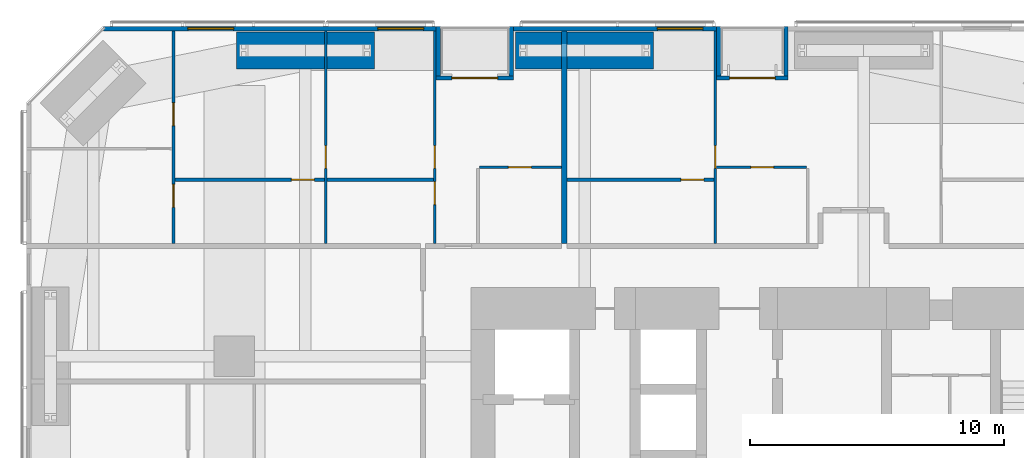
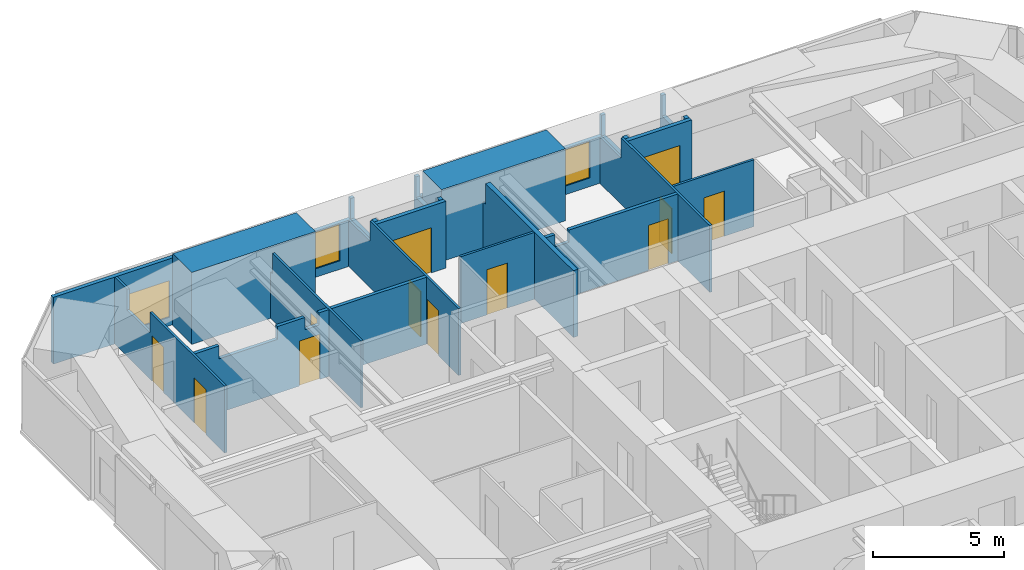
# One storey, part 21 of 23: 20 walls, 12 doors, 3 windows, 15 openings.
"""IFC4 building model written with IfcOpenShell, lengths in metres."""

from ifc_helpers import new_model, si_unit, direction, frame, frame_2d, origin, place, context, subcontext, project, spatial, polyline, rectangle, outline, extrude, material, layer, layer_set, constituent, constituent_set, type_object, element, fill, save


model = new_model("IFC4")

# Units and contexts
model_context = context("Model", 3, precision=1e-05, world=origin(), true_north=direction((0.0, 1.0)))
body_context = subcontext(model_context, "Body", "Model", "MODEL_VIEW")
ifc_project = project(units=[si_unit("LENGTHUNIT", "METRE"), si_unit("AREAUNIT", "SQUARE_METRE"), si_unit("VOLUMEUNIT", "CUBIC_METRE"), si_unit("PLANEANGLEUNIT", "RADIAN"), si_unit("MASSUNIT", "GRAM", prefix="KILO")], contexts=[model_context])

# Site, building, storey
site_placement = place(None, origin())
site = spatial("IfcSite", under=ifc_project, at=site_placement, CompositionType="ELEMENT")
building_placement = place(site_placement, origin())
building = spatial("IfcBuilding", under=site, at=building_placement, Name="Jalousie Tower", CompositionType="ELEMENT")
storey_placement = place(building_placement, frame((0.0, 0.0, 34.39990234375)))
storey = spatial("IfcBuildingStorey", under=building, at=storey_placement, Name="L08", CompositionType="ELEMENT", Elevation=34.39990234375)

# Wall, opening, door
ifc_material_1 = material(Name="Concrete block ASTM C90", Category="concrete")
ifc_constituent_1 = constituent(ifc_material_1, Name="Body")
ifc_material_2 = material(Name="Render")
ifc_constituent_2 = constituent(ifc_material_2, Name="Finish")
ifc_constituent_set_1 = constituent_set(constituents=[ifc_constituent_1, ifc_constituent_2])
wall_type_1 = type_object("IfcWallType", Name="BATHROOM WALL 150", PredefinedType="PLUMBINGWALL", material=ifc_constituent_set_1)
wall_1_placement = place(storey_placement, frame((7.85009765625, 31.949951171875, 0.0), z_axis=(0.0, 0.0, 1.0), x_axis=(1.0, 0.0, 0.0)))
wall_1 = element("IfcWall", 1, at=wall_1_placement, inside=storey, type_object=wall_type_1, Name="Bathroom Wall 150 L08", PredefinedType="PLUMBINGWALL", context=body_context, shape_type="SweptSolid", body=[
    extrude(outline(polyline([(0.0, 0.0), (5.89990234375, 0.0), (5.89990234375, 3.110107421875), (5.46240234375, 3.110107421875), (5.46240234375, 2.541015625), (4.837646484375, 2.541015625), (4.837646484375, 3.110107421875), (3.635009765625, 3.110107421875), (3.635009765625, 2.510009765625), (1.06494140625, 2.510009765625), (1.06494140625, 3.110107421875), (0.0, 3.110107421875), (0.0, 0.0)])), frame((0.0, 0.074951171875, 0.0), z_axis=(0.0, -1.0, 0.0), x_axis=(1.0, 0.0, 0.0)), (0.0, 0.0, 1.0), 0.14990234375),
])
opening_1_placement = place(wall_1_placement, frame((4.60009765625, 0.0, 0.0)))
opening_1 = element("IfcOpeningElement", 2, at=opening_1_placement, cuts=wall_1, Name="Opening D3", PredefinedType="OPENING", context=body_context, shape_type="SweptSolid", body=[
    extrude(rectangle(XDim=0.89990234375, YDim=2.10009765625, at=frame_2d((0.449951171875, 1.050048828125))), frame((0.0, 0.0849609375, 0.0), z_axis=(0.0, -1.0, 0.0), x_axis=(1.0, 0.0, 0.0)), (0.0, 0.0, 1.0), 0.169921875),
])
ifc_material_3 = material(Name="Timber door", Category="wood")
door_type_1 = type_object("IfcDoorType", Name="BATHROOM DOOR 900", OperationType="SINGLE_SWING_LEFT", PredefinedType="DOOR", material=ifc_material_3)
door_1_placement = place(opening_1_placement, frame((0.89990234375, 0.0, 0.0), z_axis=(0.0, 0.0, 1.0), x_axis=(-1.0, 0.0, 0.0)))
door_1 = element("IfcDoor", 3, at=door_1_placement, inside=storey, type_object=door_type_1, Name="Apartment 0804 bedroom 2 bathroom door", OperationType="SINGLE_SWING_LEFT", OverallHeight=2.10009765625, OverallWidth=0.89990234375, PredefinedType="DOOR", context=body_context, shape_type="SweptSolid", body=[
    extrude(rectangle(XDim=0.89990234375, YDim=2.10009765625, at=frame_2d((0.449951171875, 1.050048828125))), frame((0.0, 0.02490234375, 0.0), z_axis=(0.0, -1.0, 0.0), x_axis=(1.0, 0.0, 0.0)), (0.0, 0.0, 1.0), 0.050048828125),
])
fill(opening_1, door_1)

# Wall
wall_2_placement = place(storey_placement, frame((13.85009765625, 31.949951171875, 0.0), z_axis=(0.0, 0.0, 1.0), x_axis=(1.0, 0.0, 0.0)))
element("IfcWall", 4, at=wall_2_placement, inside=storey, type_object=wall_type_1, Name="Bathroom Wall 150 L08", PredefinedType="PLUMBINGWALL", context=body_context, shape_type="SweptSolid", body=[
    extrude(rectangle(XDim=4.199951171875, YDim=0.14990234375, at=frame_2d((2.10009765625, 0.0))), origin(), (0.0, 0.0, 1.0), 3.110107421875),
])

# Wall, opening, door
wall_3_placement = place(storey_placement, frame((23.300048828125, 31.949951171875, 0.0), z_axis=(0.0, 0.0, 1.0), x_axis=(1.0, 0.0, 0.0)))
wall_3 = element("IfcWall", 5, at=wall_3_placement, inside=storey, type_object=wall_type_1, Name="Bathroom Wall 150 L08", PredefinedType="PLUMBINGWALL", context=body_context, shape_type="SweptSolid", body=[
    extrude(outline(polyline([(0.0, 0.0), (5.800048828125, 0.0), (5.800048828125, 3.110107421875), (1.012451171875, 3.110107421875), (1.012451171875, 2.541015625), (0.3876953125, 2.541015625), (0.3876953125, 3.110107421875), (0.0, 3.110107421875), (0.0, 0.0)])), frame((0.0, 0.074951171875, 0.0), z_axis=(0.0, -1.0, 0.0), x_axis=(1.0, 0.0, 0.0)), (0.0, 0.0, 1.0), 0.14990234375),
])
opening_2_placement = place(wall_3_placement, frame((4.5, 0.0, 0.0)))
opening_2 = element("IfcOpeningElement", 6, at=opening_2_placement, cuts=wall_3, Name="Opening D3", PredefinedType="OPENING", context=body_context, shape_type="SweptSolid", body=[
    extrude(rectangle(XDim=0.89990234375, YDim=2.10009765625, at=frame_2d((0.449951171875, 1.050048828125))), frame((0.0, 0.0849609375, 0.0), z_axis=(0.0, -1.0, 0.0), x_axis=(1.0, 0.0, 0.0)), (0.0, 0.0, 1.0), 0.169921875),
])
door_2_placement = place(opening_2_placement, frame((0.89990234375, 0.0, 0.0), z_axis=(0.0, 0.0, 1.0), x_axis=(-1.0, 0.0, 0.0)))
door_2 = element("IfcDoor", 7, at=door_2_placement, inside=storey, type_object=door_type_1, Name="Apartment 0805 bedroom 1 bathroom door", OperationType="SINGLE_SWING_LEFT", OverallHeight=2.10009765625, OverallWidth=0.89990234375, PredefinedType="DOOR", context=body_context, shape_type="SweptSolid", body=[
    extrude(rectangle(XDim=0.89990234375, YDim=2.10009765625, at=frame_2d((0.449951171875, 1.050048828125))), frame((0.0, 0.02490234375, 0.0), z_axis=(0.0, -1.0, 0.0), x_axis=(1.0, 0.0, 0.0)), (0.0, 0.0, 1.0), 0.050048828125),
])
fill(opening_2, door_2)

# Wall, opening, window
ifc_material_4 = material(Name="Concrete f'c 40 MPa", Category="concrete")
ifc_constituent_3 = constituent(ifc_material_4, Name="Body")
ifc_material_5 = material(Name="Render, pastel coral")
ifc_constituent_4 = constituent(ifc_material_5, Name="Finish")
ifc_constituent_set_2 = constituent_set(constituents=[ifc_constituent_3, ifc_constituent_4])
wall_type_2 = type_object("IfcWallType", Name="EXTERNAL WALL 175 CORAL RENDER", PredefinedType="SOLIDWALL", material=ifc_constituent_set_2)
wall_4_placement = place(storey_placement, frame((29.199951171875, 37.91259765625, 0.0), z_axis=(0.0, 0.0, 1.0), x_axis=(-1.0, 0.0, 0.0)))
wall_4 = element("IfcWall", 8, at=wall_4_placement, inside=storey, type_object=wall_type_2, Name="External Wall 175 Coral Render L08", PredefinedType="SOLIDWALL", context=body_context, shape_type="SweptSolid", body=[
    extrude(rectangle(XDim=8.0, YDim=0.175048828125, at=frame_2d((4.0, 0.0))), origin(), (0.0, 0.0, 1.0), 2.150146484375),
])
opening_3_placement = place(wall_4_placement, frame((0.53369140625, 0.0, 0.39990234375)))
opening_3 = element("IfcOpeningElement", 9, at=opening_3_placement, cuts=wall_4, Name="Opening W-BED170", PredefinedType="OPENING", context=body_context, shape_type="SweptSolid", body=[
    extrude(rectangle(XDim=1.800048828125, YDim=1.699951171875, at=frame_2d((0.89990234375, 0.85009765625))), frame((0.0, 0.097412109375, 0.0), z_axis=(0.0, -1.0, 0.0), x_axis=(1.0, 0.0, 0.0)), (0.0, 0.0, 1.0), 0.195068359375),
])
ifc_material_6 = material(Name="Aluminium frame, impact-rated glazing", Category="aluminium")
window_type = type_object("IfcWindowType", Name="WINDOW BED 1800x1700", PartitioningType="SINGLE_PANEL", PredefinedType="WINDOW", material=ifc_material_6)
window_1_placement = place(opening_3_placement, origin())
window_1 = element("IfcWindow", 10, at=window_1_placement, inside=storey, type_object=window_type, Name="Apartment 0805 bedroom 1 window", OverallHeight=1.699951171875, OverallWidth=1.800048828125, PartitioningType="SINGLE_PANEL", PredefinedType="WINDOW", context=body_context, shape_type="SweptSolid", body=[
    extrude(rectangle(XDim=1.800048828125, YDim=1.699951171875, at=frame_2d((0.89990234375, 0.85009765625))), frame((0.0, 0.030029296875, 0.0), z_axis=(0.0, -1.0, 0.0), x_axis=(1.0, 0.0, 0.0)), (0.0, 0.0, 1.0), 0.06005859375),
])
fill(opening_3, window_1)

# Wall, openings, windows
wall_5_placement = place(storey_placement, frame((18.14990234375, 37.91259765625, 0.0), z_axis=(0.0, 0.0, 1.0), x_axis=(-1.0, 0.0, 0.0)))
wall_5 = element("IfcWall", 11, at=wall_5_placement, inside=storey, type_object=wall_type_2, Name="External Wall 175 Coral Render L08", PredefinedType="SOLIDWALL", context=body_context, shape_type="SweptSolid", body=[
    extrude(outline(polyline([(0.0, 0.0), (13.0986328125, 0.0), (13.0986328125, 3.110107421875), (5.35400390625, 3.110107421875), (5.35400390625, 2.150146484375), (5.3056640625, 2.150146484375), (5.3056640625, 3.110107421875), (5.14990234375, 3.110107421875), (5.14990234375, 2.150146484375), (0.0, 2.150146484375), (0.0, 0.0)])), frame((0.0, 0.08740234375, 0.0), z_axis=(0.0, -1.0, 0.0), x_axis=(1.0, 0.0, 0.0)), (0.0, 0.0, 1.0), 0.175048828125),
])
opening_4_placement = place(wall_5_placement, frame((0.492431640625, 0.0, 0.39990234375)))
opening_4 = element("IfcOpeningElement", 12, at=opening_4_placement, cuts=wall_5, Name="Opening W-BED170", PredefinedType="OPENING", context=body_context, shape_type="SweptSolid", body=[
    extrude(rectangle(XDim=1.800048828125, YDim=1.699951171875, at=frame_2d((0.89990234375, 0.85009765625))), frame((0.0, 0.097412109375, 0.0), z_axis=(0.0, -1.0, 0.0), x_axis=(1.0, 0.0, 0.0)), (0.0, 0.0, 1.0), 0.195068359375),
])
opening_5_placement = place(wall_5_placement, frame((7.97998046875, 0.0, 0.39990234375)))
opening_5 = element("IfcOpeningElement", 13, at=opening_5_placement, cuts=wall_5, Name="Opening W-BED170", PredefinedType="OPENING", context=body_context, shape_type="SweptSolid", body=[
    extrude(rectangle(XDim=1.800048828125, YDim=1.699951171875, at=frame_2d((0.89990234375, 0.85009765625))), frame((0.0, 0.097412109375, 0.0), z_axis=(0.0, -1.0, 0.0), x_axis=(1.0, 0.0, 0.0)), (0.0, 0.0, 1.0), 0.195068359375),
])
window_2_placement = place(opening_4_placement, origin())
window_2 = element("IfcWindow", 14, at=window_2_placement, inside=storey, type_object=window_type, Name="Apartment 0804 bedroom 3 window", OverallHeight=1.699951171875, OverallWidth=1.800048828125, PartitioningType="SINGLE_PANEL", PredefinedType="WINDOW", context=body_context, shape_type="SweptSolid", body=[
    extrude(rectangle(XDim=1.800048828125, YDim=1.699951171875, at=frame_2d((0.89990234375, 0.85009765625))), frame((0.0, 0.030029296875, 0.0), z_axis=(0.0, -1.0, 0.0), x_axis=(1.0, 0.0, 0.0)), (0.0, 0.0, 1.0), 0.06005859375),
])
fill(opening_4, window_2)
window_3_placement = place(opening_5_placement, origin())
window_3 = element("IfcWindow", 15, at=window_3_placement, inside=storey, type_object=window_type, Name="Apartment 0804 bedroom 2 window", OverallHeight=1.699951171875, OverallWidth=1.800048828125, PartitioningType="SINGLE_PANEL", PredefinedType="WINDOW", context=body_context, shape_type="SweptSolid", body=[
    extrude(rectangle(XDim=1.800048828125, YDim=1.699951171875, at=frame_2d((0.89990234375, 0.85009765625))), frame((0.0, 0.030029296875, 0.0), z_axis=(0.0, -1.0, 0.0), x_axis=(1.0, 0.0, 0.0)), (0.0, 0.0, 1.0), 0.06005859375),
])
fill(opening_5, window_3)

# Wall, opening, door
wall_6_placement = place(storey_placement, frame((32.02490234375, 35.96240234375, 0.0), z_axis=(0.0, 0.0, 1.0), x_axis=(-1.0, 0.0, 0.0)))
wall_6 = element("IfcWall", 16, at=wall_6_placement, inside=storey, type_object=wall_type_2, Name="External Wall 175 Coral Render L08", PredefinedType="SOLIDWALL", context=body_context, shape_type="SweptSolid", body=[
    extrude(rectangle(XDim=2.824951171875, YDim=0.175048828125, at=frame_2d((1.41259765625, 0.0))), origin(), (0.0, 0.0, 1.0), 3.110107421875),
])
opening_6_placement = place(wall_6_placement, frame((0.512451171875, 0.0, 0.0)))
opening_6 = element("IfcOpeningElement", 17, at=opening_6_placement, cuts=wall_6, Name="Opening D-BAL21", PredefinedType="OPENING", context=body_context, shape_type="SweptSolid", body=[
    extrude(rectangle(XDim=1.800048828125, YDim=2.10009765625, at=frame_2d((0.89990234375, 1.050048828125))), frame((0.0, 0.097412109375, 0.0), z_axis=(0.0, -1.0, 0.0), x_axis=(1.0, 0.0, 0.0)), (0.0, 0.0, 1.0), 0.195068359375),
])
ifc_material_7 = material(Name="Aluminium frame, impact-rated glazing", Category="aluminium")
door_type_2 = type_object("IfcDoorType", Name="BALCONY DOOR 1800x2100", OperationType="SLIDING_TO_LEFT", PredefinedType="DOOR", material=ifc_material_7)
door_3_placement = place(opening_6_placement, origin())
door_3 = element("IfcDoor", 18, at=door_3_placement, inside=storey, type_object=door_type_2, Name="Apartment 0805 living and dining room loggia door", OperationType="SLIDING_TO_LEFT", OverallHeight=2.10009765625, OverallWidth=1.800048828125, PredefinedType="DOOR", context=body_context, shape_type="SweptSolid", body=[
    extrude(rectangle(XDim=1.800048828125, YDim=2.10009765625, at=frame_2d((0.89990234375, 1.050048828125))), frame((0.0, 0.02490234375, 0.0), z_axis=(0.0, -1.0, 0.0), x_axis=(1.0, 0.0, 0.0)), (0.0, 0.0, 1.0), 0.050048828125),
])
fill(opening_6, door_3)

# Walls
for number, where, z_axis, x_axis, name in (
    (19, (31.9375, 38.0, 0.0), (0.0, 0.0, 1.0), (0.0, -1.0, 0.0), "External Wall 175 Coral Render L08"),
    (20, (29.28759765625, 38.0, 0.0), (0.0, 0.0, 1.0), (0.0, -1.0, 0.0), "External Wall 175 Coral Render L08"),
):
    element("IfcWall", number, at=place(storey_placement, frame(where, z_axis=z_axis, x_axis=x_axis)), inside=storey, type_object=wall_type_2, Name=name, PredefinedType="SOLIDWALL", context=body_context, shape_type="SweptSolid", body=[
        extrude(outline(polyline([(0.0, 0.0), (1.949951171875, 0.0), (1.949951171875, 3.110107421875), (1.75, 3.110107421875), (1.75, 2.150146484375), (0.14990234375, 2.150146484375), (0.14990234375, 3.110107421875), (0.0, 3.110107421875), (0.0, 0.0)])), frame((0.0, 0.08740234375, 0.0), z_axis=(0.0, -1.0, 0.0), x_axis=(1.0, 0.0, 0.0)), (0.0, 0.0, 1.0), 0.175048828125),
    ])

# Wall, opening, door
wall_7_placement = place(storey_placement, frame((21.199951171875, 35.96240234375, 0.0), z_axis=(0.0, 0.0, 1.0), x_axis=(-1.0, 0.0, 0.0)))
wall_7 = element("IfcWall", 21, at=wall_7_placement, inside=storey, type_object=wall_type_2, Name="External Wall 175 Coral Render L08", PredefinedType="SOLIDWALL", context=body_context, shape_type="SweptSolid", body=[
    extrude(rectangle(XDim=3.050048828125, YDim=0.175048828125, at=frame_2d((1.52490234375, 0.0))), origin(), (0.0, 0.0, 1.0), 3.110107421875),
])
opening_7_placement = place(wall_7_placement, frame((0.625, 0.0, 0.0)))
opening_7 = element("IfcOpeningElement", 22, at=opening_7_placement, cuts=wall_7, Name="Opening D-BAL21", PredefinedType="OPENING", context=body_context, shape_type="SweptSolid", body=[
    extrude(rectangle(XDim=1.800048828125, YDim=2.10009765625, at=frame_2d((0.89990234375, 1.050048828125))), frame((0.0, 0.097412109375, 0.0), z_axis=(0.0, -1.0, 0.0), x_axis=(1.0, 0.0, 0.0)), (0.0, 0.0, 1.0), 0.195068359375),
])
door_4_placement = place(opening_7_placement, origin())
door_4 = element("IfcDoor", 23, at=door_4_placement, inside=storey, type_object=door_type_2, Name="Apartment 0804 living and dining room loggia door", OperationType="SLIDING_TO_LEFT", OverallHeight=2.10009765625, OverallWidth=1.800048828125, PredefinedType="DOOR", context=body_context, shape_type="SweptSolid", body=[
    extrude(rectangle(XDim=1.800048828125, YDim=2.10009765625, at=frame_2d((0.89990234375, 1.050048828125))), frame((0.0, 0.02490234375, 0.0), z_axis=(0.0, -1.0, 0.0), x_axis=(1.0, 0.0, 0.0)), (0.0, 0.0, 1.0), 0.050048828125),
])
fill(opening_7, door_4)

# Walls
for number, where, z_axis, x_axis, name in (
    (24, (21.112548828125, 38.0, 0.0), (0.0, 0.0, 1.0), (0.0, -1.0, 0.0), "External Wall 175 Coral Render L08"),
    (25, (18.237548828125, 38.0, 0.0), (0.0, 0.0, 1.0), (0.0, -1.0, 0.0), "External Wall 175 Coral Render L08"),
):
    element("IfcWall", number, at=place(storey_placement, frame(where, z_axis=z_axis, x_axis=x_axis)), inside=storey, type_object=wall_type_2, Name=name, PredefinedType="SOLIDWALL", context=body_context, shape_type="SweptSolid", body=[
        extrude(outline(polyline([(0.0, 0.0), (1.949951171875, 0.0), (1.949951171875, 3.110107421875), (1.75, 3.110107421875), (1.75, 2.150146484375), (0.14990234375, 2.150146484375), (0.14990234375, 3.110107421875), (0.0, 3.110107421875), (0.0, 0.0)])), frame((0.0, 0.08740234375, 0.0), z_axis=(0.0, -1.0, 0.0), x_axis=(1.0, 0.0, 0.0)), (0.0, 0.0, 1.0), 0.175048828125),
    ])

# Wall, openings, doors
ifc_material_8 = material(Name="Gypsum board", Category="gypsum")
ifc_constituent_5 = constituent(ifc_material_8, Name="Body")
ifc_material_9 = material(Name="Light-gauge steel studs ASTM A653 SS Grade 33", Category="steel")
ifc_constituent_6 = constituent(ifc_material_9, Name="Framing")
ifc_constituent_set_3 = constituent_set(constituents=[ifc_constituent_5, ifc_constituent_6])
wall_type_3 = type_object("IfcWallType", Name="PARTITION 100", PredefinedType="PARTITIONING", material=ifc_constituent_set_3)
wall_8_placement = place(storey_placement, frame((7.800048828125, 37.824951171875, 0.0), z_axis=(0.0, 0.0, 1.0), x_axis=(0.0, -1.0, 0.0)))
wall_8 = element("IfcWall", 26, at=wall_8_placement, inside=storey, type_object=wall_type_3, Name="Partition 100 L08", PredefinedType="PARTITIONING", context=body_context, shape_type="SweptSolid", body=[
    extrude(outline(polyline([(0.0, 0.0), (8.375, 0.0), (8.375, 3.110107421875), (2.697021484375, 3.110107421875), (2.697021484375, 2.150146484375), (0.942626953125, 2.150146484375), (0.942626953125, 3.110107421875), (0.0, 3.110107421875), (0.0, 0.0)])), frame((0.0, 0.050048828125, 0.0), z_axis=(0.0, -1.0, 0.0), x_axis=(1.0, 0.0, 0.0)), (0.0, 0.0, 1.0), 0.10009765625),
])
opening_8_placement = place(wall_8_placement, frame((2.84228515625, 0.0, 0.0)))
opening_8 = element("IfcOpeningElement", 27, at=opening_8_placement, cuts=wall_8, Name="Opening D2", PredefinedType="OPENING", context=body_context, shape_type="SweptSolid", body=[
    extrude(rectangle(XDim=0.89990234375, YDim=2.10009765625, at=frame_2d((0.449951171875, 1.050048828125))), frame((0.0, 0.06005859375, 0.0), z_axis=(0.0, -1.0, 0.0), x_axis=(1.0, 0.0, 0.0)), (0.0, 0.0, 1.0), 0.1201171875),
])
opening_9_placement = place(wall_8_placement, frame((6.05859375, 0.0, 0.0)))
opening_9 = element("IfcOpeningElement", 28, at=opening_9_placement, cuts=wall_8, Name="Opening D3", PredefinedType="OPENING", context=body_context, shape_type="SweptSolid", body=[
    extrude(rectangle(XDim=0.89990234375, YDim=2.10009765625, at=frame_2d((0.449951171875, 1.050048828125))), frame((0.0, 0.06005859375, 0.0), z_axis=(0.0, -1.0, 0.0), x_axis=(1.0, 0.0, 0.0)), (0.0, 0.0, 1.0), 0.1201171875),
])
door_5_placement = place(opening_9_placement, origin())
door_5 = element("IfcDoor", 29, at=door_5_placement, inside=storey, type_object=door_type_1, Name="Apartment 0804 bedroom 1 bathroom door", OperationType="SINGLE_SWING_LEFT", OverallHeight=2.10009765625, OverallWidth=0.89990234375, PredefinedType="DOOR", context=body_context, shape_type="SweptSolid", body=[
    extrude(rectangle(XDim=0.89990234375, YDim=2.10009765625, at=frame_2d((0.449951171875, 1.050048828125))), frame((0.0, 0.02490234375, 0.0), z_axis=(0.0, -1.0, 0.0), x_axis=(1.0, 0.0, 0.0)), (0.0, 0.0, 1.0), 0.050048828125),
])
fill(opening_9, door_5)
ifc_material_10 = material(Name="Timber door", Category="wood")
door_type_3 = type_object("IfcDoorType", Name="BEDROOM DOOR 900", OperationType="SINGLE_SWING_LEFT", PredefinedType="DOOR", material=ifc_material_10)
door_6_placement = place(opening_8_placement, origin())
door_6 = element("IfcDoor", 30, at=door_6_placement, inside=storey, type_object=door_type_3, Name="Apartment 0804 bedroom 1 door", OperationType="SINGLE_SWING_RIGHT", OverallHeight=2.10009765625, OverallWidth=0.89990234375, PredefinedType="DOOR", context=body_context, shape_type="SweptSolid", body=[
    extrude(rectangle(XDim=0.89990234375, YDim=2.10009765625, at=frame_2d((0.449951171875, 1.050048828125))), frame((0.0, 0.02490234375, 0.0), z_axis=(0.0, -1.0, 0.0), x_axis=(1.0, 0.0, 0.0)), (0.0, 0.0, 1.0), 0.050048828125),
])
fill(opening_8, door_6)

# Wall, opening, door
wall_9_placement = place(storey_placement, frame((13.800048828125, 37.824951171875, 0.0), z_axis=(0.0, 0.0, 1.0), x_axis=(0.0, -1.0, 0.0)))
wall_9 = element("IfcWall", 31, at=wall_9_placement, inside=storey, type_object=wall_type_3, Name="Partition 100 L08", PredefinedType="PARTITIONING", context=body_context, shape_type="SweptSolid", body=[
    extrude(outline(polyline([(1.635009765625, 2.150146484375), (0.0, 2.150146484375), (0.0, 0.0), (8.375, 0.0), (8.375, 3.110107421875), (1.635009765625, 3.110107421875), (1.635009765625, 2.150146484375)]), holes=[polyline([(1.021240234375, 0.1259765625), (0.52880859375, 0.1259765625), (0.52880859375, 0.9189453125), (1.021240234375, 0.9189453125), (1.021240234375, 0.1259765625)]), polyline([(1.021240234375, 1.231201171875), (0.52880859375, 1.231201171875), (0.52880859375, 2.024169921875), (1.021240234375, 2.024169921875), (1.021240234375, 1.231201171875)])]), frame((0.0, 0.050048828125, 0.0), z_axis=(0.0, -1.0, 0.0), x_axis=(1.0, 0.0, 0.0)), (0.0, 0.0, 1.0), 0.10009765625),
])
opening_10_placement = place(wall_9_placement, frame((4.52490234375, 0.0, 0.0)))
opening_10 = element("IfcOpeningElement", 32, at=opening_10_placement, cuts=wall_9, Name="Opening D2", PredefinedType="OPENING", context=body_context, shape_type="SweptSolid", body=[
    extrude(rectangle(XDim=0.89990234375, YDim=2.10009765625, at=frame_2d((0.449951171875, 1.050048828125))), frame((0.0, 0.06005859375, 0.0), z_axis=(0.0, -1.0, 0.0), x_axis=(1.0, 0.0, 0.0)), (0.0, 0.0, 1.0), 0.1201171875),
])
door_7_placement = place(opening_10_placement, frame((0.89990234375, 0.0, 0.0), z_axis=(0.0, 0.0, 1.0), x_axis=(-1.0, 0.0, 0.0)))
door_7 = element("IfcDoor", 33, at=door_7_placement, inside=storey, type_object=door_type_3, Name="Apartment 0804 bedroom 2 door", OperationType="SINGLE_SWING_LEFT", OverallHeight=2.10009765625, OverallWidth=0.89990234375, PredefinedType="DOOR", context=body_context, shape_type="SweptSolid", body=[
    extrude(rectangle(XDim=0.89990234375, YDim=2.10009765625, at=frame_2d((0.449951171875, 1.050048828125))), frame((0.0, 0.02490234375, 0.0), z_axis=(0.0, -1.0, 0.0), x_axis=(1.0, 0.0, 0.0)), (0.0, 0.0, 1.0), 0.050048828125),
])
fill(opening_10, door_7)

# Wall, openings, doors
wall_10_placement = place(storey_placement, frame((18.10009765625, 37.824951171875, 0.0), z_axis=(0.0, 0.0, 1.0), x_axis=(0.0, -1.0, 0.0)))
wall_10 = element("IfcWall", 34, at=wall_10_placement, inside=storey, type_object=wall_type_3, Name="Partition 100 L08", PredefinedType="PARTITIONING", context=body_context, shape_type="SweptSolid", body=[
    extrude(outline(polyline([(0.0, 0.0), (8.375, 0.0), (8.375, 3.110107421875), (1.635009765625, 3.110107421875), (1.635009765625, 2.150146484375), (0.0, 2.150146484375), (0.0, 3.110107421875), (0.0, 0.0)])), frame((0.0, 0.050048828125, 0.0), z_axis=(0.0, -1.0, 0.0), x_axis=(1.0, 0.0, 0.0)), (0.0, 0.0, 1.0), 0.10009765625),
])
opening_11_placement = place(wall_10_placement, frame((4.52490234375, 0.0, 0.0)))
opening_11 = element("IfcOpeningElement", 35, at=opening_11_placement, cuts=wall_10, Name="Opening D2", PredefinedType="OPENING", context=body_context, shape_type="SweptSolid", body=[
    extrude(rectangle(XDim=0.89990234375, YDim=2.10009765625, at=frame_2d((0.449951171875, 1.050048828125))), frame((0.0, 0.06005859375, 0.0), z_axis=(0.0, -1.0, 0.0), x_axis=(1.0, 0.0, 0.0)), (0.0, 0.0, 1.0), 0.1201171875),
])
opening_12_placement = place(wall_10_placement, frame((5.949951171875, 0.0, 0.0)))
opening_12 = element("IfcOpeningElement", 36, at=opening_12_placement, cuts=wall_10, Name="Opening D7", PredefinedType="OPENING", context=body_context, shape_type="SweptSolid", body=[
    extrude(rectangle(XDim=0.89990234375, YDim=2.10009765625, at=frame_2d((0.449951171875, 1.050048828125))), frame((0.0, 0.06005859375, 0.0), z_axis=(0.0, -1.0, 0.0), x_axis=(1.0, 0.0, 0.0)), (0.0, 0.0, 1.0), 0.1201171875),
])
door_8_placement = place(opening_11_placement, frame((0.89990234375, 0.0, 0.0), z_axis=(0.0, 0.0, 1.0), x_axis=(-1.0, 0.0, 0.0)))
door_8 = element("IfcDoor", 37, at=door_8_placement, inside=storey, type_object=door_type_3, Name="Apartment 0804 bedroom 3 door", OperationType="SINGLE_SWING_LEFT", OverallHeight=2.10009765625, OverallWidth=0.89990234375, PredefinedType="DOOR", context=body_context, shape_type="SweptSolid", body=[
    extrude(rectangle(XDim=0.89990234375, YDim=2.10009765625, at=frame_2d((0.449951171875, 1.050048828125))), frame((0.0, 0.02490234375, 0.0), z_axis=(0.0, -1.0, 0.0), x_axis=(1.0, 0.0, 0.0)), (0.0, 0.0, 1.0), 0.050048828125),
])
fill(opening_11, door_8)
ifc_material_11 = material(Name="Timber door", Category="wood")
door_type_4 = type_object("IfcDoorType", Name="INTERNAL DOOR 900", OperationType="SINGLE_SWING_LEFT", PredefinedType="DOOR", material=ifc_material_11)
door_9_placement = place(opening_12_placement, frame((0.89990234375, 0.0, 0.0), z_axis=(0.0, 0.0, 1.0), x_axis=(-1.0, 0.0, 0.0)))
door_9 = element("IfcDoor", 38, at=door_9_placement, inside=storey, type_object=door_type_4, Name="Apartment 0804 bathroom door", OperationType="SINGLE_SWING_RIGHT", OverallHeight=2.10009765625, OverallWidth=0.89990234375, PredefinedType="DOOR", context=body_context, shape_type="SweptSolid", body=[
    extrude(rectangle(XDim=0.89990234375, YDim=2.10009765625, at=frame_2d((0.449951171875, 1.050048828125))), frame((0.0, 0.02490234375, 0.0), z_axis=(0.0, -1.0, 0.0), x_axis=(1.0, 0.0, 0.0)), (0.0, 0.0, 1.0), 0.050048828125),
])
fill(opening_12, door_9)

# Wall, opening, door
wall_11_placement = place(storey_placement, frame((19.85009765625, 32.449951171875, 0.0), z_axis=(0.0, 0.0, 1.0), x_axis=(1.0, 0.0, 0.0)))
wall_11 = element("IfcWall", 39, at=wall_11_placement, inside=storey, type_object=wall_type_3, Name="Partition 100 L08", PredefinedType="PARTITIONING", context=body_context, shape_type="SweptSolid", body=[
    extrude(rectangle(XDim=3.25, YDim=0.10009765625, at=frame_2d((1.625, 0.0))), origin(), (0.0, 0.0, 1.0), 3.110107421875),
])
opening_13_placement = place(wall_11_placement, frame((1.14990234375, 0.0, 0.0)))
opening_13 = element("IfcOpeningElement", 40, at=opening_13_placement, cuts=wall_11, Name="Opening D7", PredefinedType="OPENING", context=body_context, shape_type="SweptSolid", body=[
    extrude(rectangle(XDim=0.89990234375, YDim=2.10009765625, at=frame_2d((0.449951171875, 1.050048828125))), frame((0.0, 0.06005859375, 0.0), z_axis=(0.0, -1.0, 0.0), x_axis=(1.0, 0.0, 0.0)), (0.0, 0.0, 1.0), 0.1201171875),
])
door_10_placement = place(opening_13_placement, origin())
door_10 = element("IfcDoor", 41, at=door_10_placement, inside=storey, type_object=door_type_4, Name="Apartment 0804 kitchen door", OperationType="SINGLE_SWING_RIGHT", OverallHeight=2.10009765625, OverallWidth=0.89990234375, PredefinedType="DOOR", context=body_context, shape_type="SweptSolid", body=[
    extrude(rectangle(XDim=0.89990234375, YDim=2.10009765625, at=frame_2d((0.449951171875, 1.050048828125))), frame((0.0, 0.02490234375, 0.0), z_axis=(0.0, -1.0, 0.0), x_axis=(1.0, 0.0, 0.0)), (0.0, 0.0, 1.0), 0.050048828125),
])
fill(opening_13, door_10)

wall_12_placement = place(storey_placement, frame((29.14990234375, 37.824951171875, 0.0), z_axis=(0.0, 0.0, 1.0), x_axis=(0.0, -1.0, 0.0)))
wall_12 = element("IfcWall", 42, at=wall_12_placement, inside=storey, type_object=wall_type_3, Name="Partition 100 L08", PredefinedType="PARTITIONING", context=body_context, shape_type="SweptSolid", body=[
    extrude(outline(polyline([(0.0, 0.0), (8.375, 0.0), (8.375, 3.110107421875), (1.635009765625, 3.110107421875), (1.635009765625, 2.150146484375), (0.0, 2.150146484375), (0.0, 3.110107421875), (0.0, 0.0)])), frame((0.0, 0.050048828125, 0.0), z_axis=(0.0, -1.0, 0.0), x_axis=(1.0, 0.0, 0.0)), (0.0, 0.0, 1.0), 0.10009765625),
])
opening_14_placement = place(wall_12_placement, frame((4.52490234375, 0.0, 0.0)))
opening_14 = element("IfcOpeningElement", 43, at=opening_14_placement, cuts=wall_12, Name="Opening D2", PredefinedType="OPENING", context=body_context, shape_type="SweptSolid", body=[
    extrude(rectangle(XDim=0.89990234375, YDim=2.10009765625, at=frame_2d((0.449951171875, 1.050048828125))), frame((0.0, 0.06005859375, 0.0), z_axis=(0.0, -1.0, 0.0), x_axis=(1.0, 0.0, 0.0)), (0.0, 0.0, 1.0), 0.1201171875),
])
door_11_placement = place(opening_14_placement, frame((0.89990234375, 0.0, 0.0), z_axis=(0.0, 0.0, 1.0), x_axis=(-1.0, 0.0, 0.0)))
door_11 = element("IfcDoor", 44, at=door_11_placement, inside=storey, type_object=door_type_3, Name="Apartment 0805 bedroom 1 door", OperationType="SINGLE_SWING_LEFT", OverallHeight=2.10009765625, OverallWidth=0.89990234375, PredefinedType="DOOR", context=body_context, shape_type="SweptSolid", body=[
    extrude(rectangle(XDim=0.89990234375, YDim=2.10009765625, at=frame_2d((0.449951171875, 1.050048828125))), frame((0.0, 0.02490234375, 0.0), z_axis=(0.0, -1.0, 0.0), x_axis=(1.0, 0.0, 0.0)), (0.0, 0.0, 1.0), 0.050048828125),
])
fill(opening_14, door_11)

wall_13_placement = place(storey_placement, frame((29.199951171875, 32.449951171875, 0.0), z_axis=(0.0, 0.0, 1.0), x_axis=(1.0, 0.0, 0.0)))
wall_13 = element("IfcWall", 45, at=wall_13_placement, inside=storey, type_object=wall_type_3, Name="Partition 100 L08", PredefinedType="PARTITIONING", context=body_context, shape_type="SweptSolid", body=[
    extrude(rectangle(XDim=3.550048828125, YDim=0.10009765625, at=frame_2d((1.77490234375, 0.0))), origin(), (0.0, 0.0, 1.0), 3.110107421875),
])
opening_15_placement = place(wall_13_placement, frame((1.35009765625, 0.0, 0.0)))
opening_15 = element("IfcOpeningElement", 46, at=opening_15_placement, cuts=wall_13, Name="Opening D7", PredefinedType="OPENING", context=body_context, shape_type="SweptSolid", body=[
    extrude(rectangle(XDim=0.89990234375, YDim=2.10009765625, at=frame_2d((0.449951171875, 1.050048828125))), frame((0.0, 0.06005859375, 0.0), z_axis=(0.0, -1.0, 0.0), x_axis=(1.0, 0.0, 0.0)), (0.0, 0.0, 1.0), 0.1201171875),
])
door_12_placement = place(opening_15_placement, origin())
door_12 = element("IfcDoor", 47, at=door_12_placement, inside=storey, type_object=door_type_4, Name="Apartment 0805 kitchen door", OperationType="SINGLE_SWING_LEFT", OverallHeight=2.10009765625, OverallWidth=0.89990234375, PredefinedType="DOOR", context=body_context, shape_type="SweptSolid", body=[
    extrude(rectangle(XDim=0.89990234375, YDim=2.10009765625, at=frame_2d((0.449951171875, 1.050048828125))), frame((0.0, 0.02490234375, 0.0), z_axis=(0.0, -1.0, 0.0), x_axis=(1.0, 0.0, 0.0)), (0.0, 0.0, 1.0), 0.050048828125),
])
fill(opening_15, door_12)

# Walls
ifc_material_12 = material(Name="Concrete block ASTM C90", Category="concrete")
ifc_constituent_7 = constituent(ifc_material_12, Name="Body")
ifc_material_13 = material(Name="Render")
ifc_constituent_8 = constituent(ifc_material_13, Name="Finish")
ifc_constituent_set_4 = constituent_set(constituents=[ifc_constituent_7, ifc_constituent_8])
wall_type_4 = type_object("IfcWallType", Name="PARTY WALL 200", PredefinedType="PARTITIONING", material=ifc_constituent_set_4)
wall_14_placement = place(storey_placement, frame((23.199951171875, 37.824951171875, 0.0), z_axis=(0.0, 0.0, 1.0), x_axis=(0.0, -1.0, 0.0)))
element("IfcWall", 48, at=wall_14_placement, inside=storey, type_object=wall_type_4, Name="Party Wall 200 L08", PredefinedType="PARTITIONING", context=body_context, shape_type="SweptSolid", body=[
    extrude(outline(polyline([(0.52880859375, 2.150146484375), (0.0, 2.150146484375), (0.0, 0.0), (0.52880859375, 0.0), (0.52880859375, 0.95361328125), (1.021240234375, 0.95361328125), (1.021240234375, 0.0), (8.375, 0.0), (8.375, 3.110107421875), (1.68505859375, 3.110107421875), (1.68505859375, 2.150146484375), (1.021240234375, 2.150146484375), (1.021240234375, 1.19677734375), (0.52880859375, 1.19677734375), (0.52880859375, 2.150146484375)])), frame((0.0, 0.10009765625, 0.0), z_axis=(0.0, -1.0, 0.0), x_axis=(1.0, 0.0, 0.0)), (0.0, 0.0, 1.0), 0.199951171875),
])
ifc_material_14 = material(Name="Concrete f'c 120 MPa", Category="concrete")
ifc_layer = layer(ifc_material_14, 1.449951171875)
ifc_layer_set = layer_set([ifc_layer], Name="Concrete f'c 120 MPa")
wall_type_5 = type_object("IfcWallType", Name="RC WALL PIER 1450", PredefinedType="SHEAR", material=ifc_layer_set)
for number, where, z_axis, x_axis, name in (
    (49, (21.27490234375, 37.050048828125, 0.0), (0.0, 0.0, 1.0), (1.0, 0.0, 0.0), "Wall pier 10 L08"),
    (50, (10.27490234375, 37.050048828125, 0.0), (0.0, 0.0, 1.0), (1.0, 0.0, 0.0), "Wall pier 11 L08"),
):
    element("IfcWall", number, at=place(storey_placement, frame(where, z_axis=z_axis, x_axis=x_axis)), inside=storey, type_object=wall_type_5, Name=name, PredefinedType="SHEAR", context=body_context, shape_type="SweptSolid", body=[
        extrude(rectangle(XDim=5.4501953125, YDim=1.449951171875, at=frame_2d((2.72509765625, 0.0))), origin(), (0.0, 0.0, 1.0), 3.35009765625),
    ])

save(model, "model.ifc")
